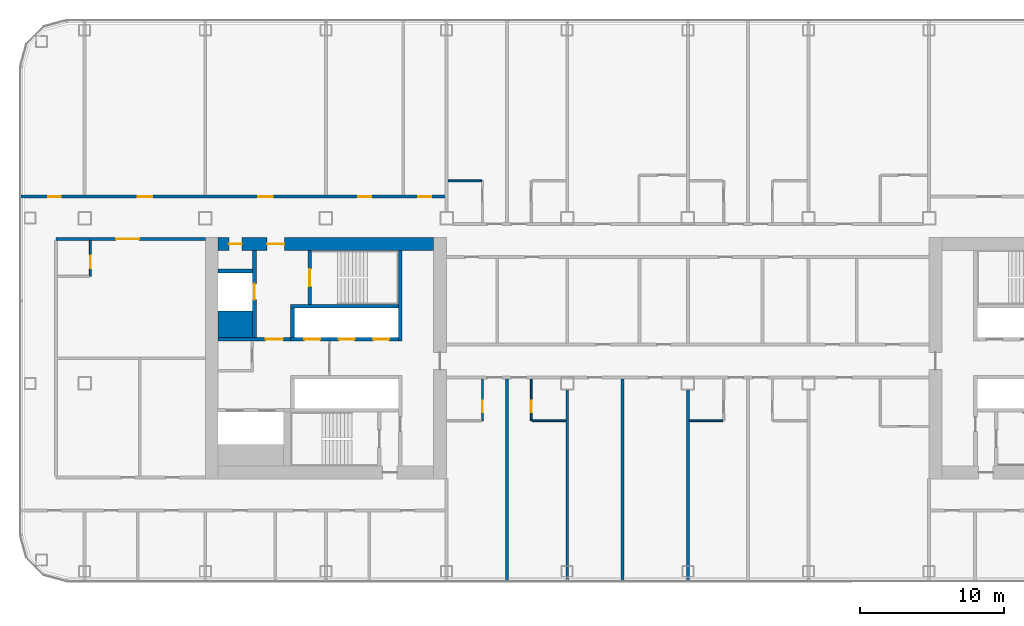
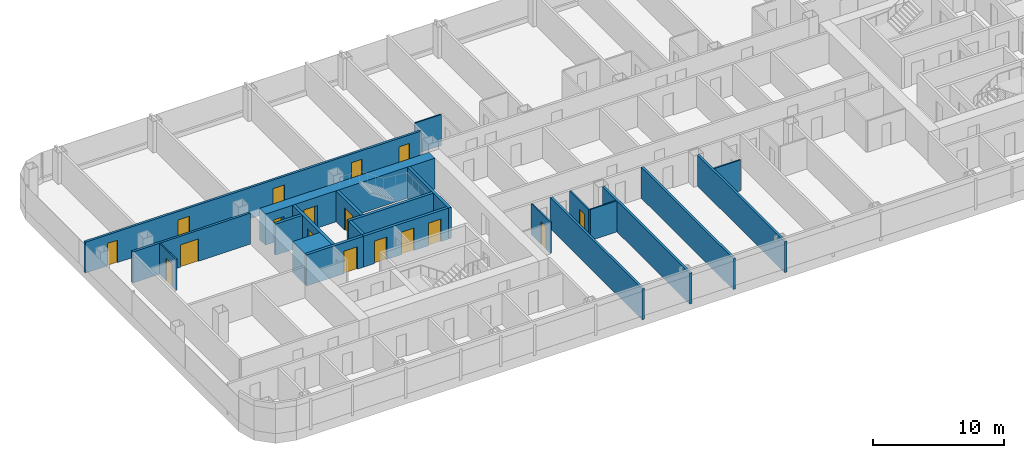
# One storey, part 16 of 29: 22 walls, 17 doors, 17 openings.
"""IFC4 building model written with IfcOpenShell, lengths in metres."""

from ifc_helpers import new_model, si_unit, direction, frame, frame_2d, origin, place, context, subcontext, project, spatial, rectangle, extrude, material, layer, layer_set, type_object, element, fill, save


model = new_model("IFC4")

# Units and contexts
model_context = context("Model", 3, precision=1e-05, world=origin(), true_north=direction((0.0, 1.0)))
body_context = subcontext(model_context, "Body", "Model", "MODEL_VIEW")
ifc_project = project(units=[si_unit("LENGTHUNIT", "METRE"), si_unit("AREAUNIT", "SQUARE_METRE"), si_unit("VOLUMEUNIT", "CUBIC_METRE"), si_unit("PLANEANGLEUNIT", "RADIAN"), si_unit("MASSUNIT", "GRAM", prefix="KILO")], contexts=[model_context])

# Site, building, storey
site_placement = place(None, origin())
site = spatial("IfcSite", under=ifc_project, at=site_placement, CompositionType="ELEMENT")
building_placement = place(site_placement, origin())
building = spatial("IfcBuilding", under=site, at=building_placement, Name="Hakoniwa Tower and Hamabe Station Hall", CompositionType="ELEMENT")
storey_placement = place(building_placement, frame((0.0, 0.0, 117.0)))
storey = spatial("IfcBuildingStorey", under=building, at=storey_placement, Name="L33", CompositionType="ELEMENT", Elevation=117.0)

# Walls
ifc_material_1 = material(Name="Gypsum board partition", Category="gypsum")
ifc_layer_1 = layer(ifc_material_1, 0.125)
ifc_layer_set_1 = layer_set([ifc_layer_1], Name="Bathroom Partition 125")
wall_type_1 = type_object("IfcWallType", Name="Bathroom Partition 125", PredefinedType="PARTITIONING", material=ifc_layer_set_1)
for number, where, z_axis, x_axis, name in (
    (1, (-10.83740234375, -4.35009765625, 0.0), (0.0, 0.0, 1.0), (1.0, 0.0, 0.0), "GW-L33-008"),
    (2, (0.10009765625, -4.35009765625, 0.0), (0.0, 0.0, 1.0), (1.0, 0.0, 0.0), "GW-L33-009"),
    (3, (-16.699951171875, 12.35009765625, 0.0), (0.0, 0.0, 1.0), (1.0, 0.0, 0.0), "GW-L33-023"),
):
    element("IfcWall", number, at=place(storey_placement, frame(where, z_axis=z_axis, x_axis=x_axis)), inside=storey, type_object=wall_type_1, Name=name, PredefinedType="PARTITIONING", context=body_context, shape_type="SweptSolid", body=[
        extrude(rectangle(XDim=2.33740234375, YDim=0.125, at=frame_2d((1.168701171875, 0.0))), origin(), (0.0, 0.0, 1.0), 2.89990234375),
    ])

# Wall, opening, door
wall_1_placement = place(storey_placement, frame((-14.300048828125, -4.35009765625, 0.0), z_axis=(0.0, 0.0, 1.0), x_axis=(0.0, 1.0, 0.0)))
wall_1 = element("IfcWall", 4, at=wall_1_placement, inside=storey, type_object=wall_type_1, Name="GW-L33-044", PredefinedType="PARTITIONING", context=body_context, shape_type="SweptSolid", body=[
    extrude(rectangle(XDim=2.900146484375, YDim=0.125, at=frame_2d((1.4501953125, 0.0))), origin(), (0.0, 0.0, 1.0), 2.89990234375),
])
opening_1_placement = place(wall_1_placement, frame((0.60009765625, 0.0, 0.0)))
opening_1 = element("IfcOpeningElement", 5, at=opening_1_placement, cuts=wall_1, Name="Opening GD-G2D2-55", PredefinedType="OPENING", context=body_context, shape_type="SweptSolid", body=[
    extrude(rectangle(XDim=0.800048828125, YDim=2.10009765625, at=frame_2d((0.39990234375, 1.050048828125))), frame((0.0, 0.072509765625, 0.0), z_axis=(0.0, -1.0, 0.0), x_axis=(1.0, 0.0, 0.0)), (0.0, 0.0, 1.0), 0.14501953125),
])
ifc_material_2 = material(Name="Timber door leaf", Category="wood")
door_type_1 = type_object("IfcDoorType", Name="Bathroom Door 800", OperationType="SINGLE_SWING_LEFT", PredefinedType="DOOR", material=ifc_material_2)
door_1_placement = place(opening_1_placement, origin())
door_1 = element("IfcDoor", 6, at=door_1_placement, inside=storey, type_object=door_type_1, Name="Door GD-G2D2-55", OperationType="SINGLE_SWING_RIGHT", OverallHeight=2.10009765625, OverallWidth=0.800048828125, PredefinedType="DOOR", context=body_context, shape_type="SweptSolid", body=[
    extrude(rectangle(XDim=0.800048828125, YDim=2.10009765625, at=frame_2d((0.39990234375, 1.050048828125))), frame((0.0, 0.02490234375, 0.0), z_axis=(0.0, -1.0, 0.0), x_axis=(1.0, 0.0, 0.0)), (0.0, 0.0, 1.0), 0.050048828125),
])
fill(opening_1, door_1)

wall_2_placement = place(storey_placement, frame((-10.89990234375, -4.35009765625, 0.0), z_axis=(0.0, 0.0, 1.0), x_axis=(0.0, 1.0, 0.0)))
wall_2 = element("IfcWall", 7, at=wall_2_placement, inside=storey, type_object=wall_type_1, Name="GW-L33-049", PredefinedType="PARTITIONING", context=body_context, shape_type="SweptSolid", body=[
    extrude(rectangle(XDim=2.900146484375, YDim=0.125, at=frame_2d((1.4501953125, 0.0))), origin(), (0.0, 0.0, 1.0), 2.89990234375),
])
opening_2_placement = place(wall_2_placement, frame((0.60009765625, 0.0, 0.0)))
opening_2 = element("IfcOpeningElement", 8, at=opening_2_placement, cuts=wall_2, Name="Opening GD-G2D2-57", PredefinedType="OPENING", context=body_context, shape_type="SweptSolid", body=[
    extrude(rectangle(XDim=0.800048828125, YDim=2.10009765625, at=frame_2d((0.39990234375, 1.050048828125))), frame((0.0, 0.072509765625, 0.0), z_axis=(0.0, -1.0, 0.0), x_axis=(1.0, 0.0, 0.0)), (0.0, 0.0, 1.0), 0.14501953125),
])
door_2_placement = place(opening_2_placement, origin())
door_2 = element("IfcDoor", 9, at=door_2_placement, inside=storey, type_object=door_type_1, Name="Door GD-G2D2-57", OperationType="SINGLE_SWING_LEFT", OverallHeight=2.10009765625, OverallWidth=0.800048828125, PredefinedType="DOOR", context=body_context, shape_type="SweptSolid", body=[
    extrude(rectangle(XDim=0.800048828125, YDim=2.10009765625, at=frame_2d((0.39990234375, 1.050048828125))), frame((0.0, 0.02490234375, 0.0), z_axis=(0.0, -1.0, 0.0), x_axis=(1.0, 0.0, 0.0)), (0.0, 0.0, 1.0), 0.050048828125),
])
fill(opening_2, door_2)

# Wall, openings, doors
ifc_material_3 = material(Name="Concrete C72", Category="concrete")
ifc_layer_2 = layer(ifc_material_3, 0.89990234375)
ifc_layer_set_2 = layer_set([ifc_layer_2], Name="CORE WALL 900 C72")
wall_type_2 = type_object("IfcWallType", Name="CORE WALL 900 C72", PredefinedType="SHEAR", material=ifc_layer_set_2)
wall_3_placement = place(storey_placement, frame((-32.699951171875, 7.949951171875, 0.0), z_axis=(0.0, 0.0, 1.0), x_axis=(1.0, 0.0, 0.0)))
wall_3 = element("IfcWall", 10, at=wall_3_placement, inside=storey, type_object=wall_type_2, Name="Core wall NORTH west", PredefinedType="SHEAR", context=body_context, shape_type="SweptSolid", body=[
    extrude(rectangle(XDim=15.0, YDim=0.89990234375, at=frame_2d((7.5, 0.0))), origin(), (0.0, 0.0, 1.0), 2.89990234375),
])
opening_3_placement = place(wall_3_placement, frame((3.39990234375, 0.0, 0.0)))
opening_3 = element("IfcOpeningElement", 11, at=opening_3_placement, cuts=wall_3, Name="Opening CD-W-FN1-12", PredefinedType="OPENING", context=body_context, shape_type="SweptSolid", body=[
    extrude(rectangle(XDim=1.199951171875, YDim=2.10009765625, at=frame_2d((0.60009765625, 1.050048828125))), frame((0.0, 0.4599609375, 0.0), z_axis=(0.0, -1.0, 0.0), x_axis=(1.0, 0.0, 0.0)), (0.0, 0.0, 1.0), 0.919921875),
])
opening_4_placement = place(wall_3_placement, frame((0.75, 0.0, 0.0)))
opening_4 = element("IfcOpeningElement", 12, at=opening_4_placement, cuts=wall_3, Name="Opening CD-W-FN2-9", PredefinedType="OPENING", context=body_context, shape_type="SweptSolid", body=[
    extrude(rectangle(XDim=0.89990234375, YDim=2.10009765625, at=frame_2d((0.449951171875, 1.050048828125))), frame((0.0, 0.4599609375, 0.0), z_axis=(0.0, -1.0, 0.0), x_axis=(1.0, 0.0, 0.0)), (0.0, 0.0, 1.0), 0.919921875),
])
ifc_material_4 = material(Name="Steel fire door", Category="steel")
door_type_2 = type_object("IfcDoorType", Name="CORE DOOR 1200 FD60", OperationType="DOUBLE_DOOR_SINGLE_SWING", PredefinedType="DOOR", material=ifc_material_4)
door_3_placement = place(opening_3_placement, origin())
door_3 = element("IfcDoor", 13, at=door_3_placement, inside=storey, type_object=door_type_2, Name="Stair vestibule door to the fire-fighting lobby", OperationType="DOUBLE_DOOR_SINGLE_SWING", OverallHeight=2.10009765625, OverallWidth=1.199951171875, PredefinedType="DOOR", context=body_context, shape_type="SweptSolid", body=[
    extrude(rectangle(XDim=1.199951171875, YDim=2.10009765625, at=frame_2d((0.60009765625, 1.050048828125))), frame((0.0, 0.02490234375, 0.0), z_axis=(0.0, -1.0, 0.0), x_axis=(1.0, 0.0, 0.0)), (0.0, 0.0, 1.0), 0.050048828125),
])
fill(opening_3, door_3)
ifc_material_5 = material(Name="Steel fire door", Category="steel")
door_type_3 = type_object("IfcDoorType", Name="CORE DOOR 900 FD30", OperationType="NOTDEFINED", PredefinedType="DOOR", material=ifc_material_5)
door_4_placement = place(opening_4_placement, origin())
door_4 = element("IfcDoor", 14, at=door_4_placement, inside=storey, type_object=door_type_3, Name="Riser access door", OperationType="SINGLE_SWING_LEFT", OverallHeight=2.10009765625, OverallWidth=0.89990234375, PredefinedType="DOOR", context=body_context, shape_type="SweptSolid", body=[
    extrude(rectangle(XDim=0.89990234375, YDim=2.10009765625, at=frame_2d((0.449951171875, 1.050048828125))), frame((0.0, 0.02490234375, 0.0), z_axis=(0.0, -1.0, 0.0), x_axis=(1.0, 0.0, 0.0)), (0.0, 0.0, 1.0), 0.050048828125),
])
fill(opening_4, door_4)

# Walls
ifc_material_6 = material(Name="Concrete C72", Category="concrete")
ifc_layer_3 = layer(ifc_material_6, 1.85009765625)
ifc_layer_set_3 = layer_set([ifc_layer_3], Name="CORE WEB WALL 1850 C72")
wall_type_3 = type_object("IfcWallType", Name="CORE WEB WALL 1850 C72", PredefinedType="SHEAR", material=ifc_layer_set_3)
wall_4_placement = place(storey_placement, frame((-32.699951171875, 2.375, 0.0), z_axis=(0.0, 0.0, 1.0), x_axis=(1.0, 0.0, 0.0)))
element("IfcWall", 15, at=wall_4_placement, inside=storey, type_object=wall_type_3, Name="Core wall CA west", PredefinedType="SHEAR", context=body_context, shape_type="SweptSolid", body=[
    extrude(rectangle(XDim=2.39990234375, YDim=1.85009765625, at=frame_2d((1.199951171875, 0.0))), origin(), (0.0, 0.0, 1.0), 2.89990234375),
])
ifc_material_7 = material(Name="Concrete C72", Category="concrete")
ifc_layer_4 = layer(ifc_material_7, 0.25)
ifc_layer_set_4 = layer_set([ifc_layer_4], Name="CORE WEB WALL 250 C72")
wall_type_4 = type_object("IfcWallType", Name="CORE WEB WALL 250 C72", PredefinedType="SHEAR", material=ifc_layer_set_4)
wall_5_placement = place(storey_placement, frame((-20.02490234375, 1.199951171875, 0.0), z_axis=(0.0, 0.0, 1.0), x_axis=(0.0, 1.0, 0.0)))
element("IfcWall", 16, at=wall_5_placement, inside=storey, type_object=wall_type_4, Name="Core wall W1N west", PredefinedType="SHEAR", context=body_context, shape_type="SweptSolid", body=[
    extrude(rectangle(XDim=6.300048828125, YDim=0.25, at=frame_2d((3.14990234375, 0.0))), origin(), (0.0, 0.0, 1.0), 2.89990234375),
])

# Wall, openings, doors
wall_6_placement = place(storey_placement, frame((-27.64990234375, 1.324951171875, 0.0), z_axis=(0.0, 0.0, 1.0), x_axis=(1.0, 0.0, 0.0)))
wall_6 = element("IfcWall", 17, at=wall_6_placement, inside=storey, type_object=wall_type_4, Name="Core wall NF west", PredefinedType="SHEAR", context=body_context, shape_type="SweptSolid", body=[
    extrude(rectangle(XDim=7.5, YDim=0.25, at=frame_2d((3.75, 0.0))), origin(), (0.0, 0.0, 1.0), 2.89990234375),
])
opening_5_placement = place(wall_6_placement, frame((5.75, 0.0, 0.0)))
opening_5 = element("IfcOpeningElement", 18, at=opening_5_placement, cuts=wall_6, Name="Opening LD-LR1", PredefinedType="OPENING", context=body_context, shape_type="SweptSolid", body=[
    extrude(rectangle(XDim=1.10009765625, YDim=2.10009765625, at=frame_2d((0.550048828125, 1.050048828125))), frame((0.0, 0.135009765625, 0.0), z_axis=(0.0, -1.0, 0.0), x_axis=(1.0, 0.0, 0.0)), (0.0, 0.0, 1.0), 0.27001953125),
])
opening_6_placement = place(wall_6_placement, frame((3.35009765625, 0.0, 0.0)))
opening_6 = element("IfcOpeningElement", 19, at=opening_6_placement, cuts=wall_6, Name="Opening LD-LR2", PredefinedType="OPENING", context=body_context, shape_type="SweptSolid", body=[
    extrude(rectangle(XDim=1.10009765625, YDim=2.10009765625, at=frame_2d((0.550048828125, 1.050048828125))), frame((0.0, 0.135009765625, 0.0), z_axis=(0.0, -1.0, 0.0), x_axis=(1.0, 0.0, 0.0)), (0.0, 0.0, 1.0), 0.27001953125),
])
opening_7_placement = place(wall_6_placement, frame((0.949951171875, 0.0, 0.0)))
opening_7 = element("IfcOpeningElement", 20, at=opening_7_placement, cuts=wall_6, Name="Opening LD-LR3", PredefinedType="OPENING", context=body_context, shape_type="SweptSolid", body=[
    extrude(rectangle(XDim=1.10009765625, YDim=2.10009765625, at=frame_2d((0.550048828125, 1.050048828125))), frame((0.0, 0.135009765625, 0.0), z_axis=(0.0, -1.0, 0.0), x_axis=(1.0, 0.0, 0.0)), (0.0, 0.0, 1.0), 0.27001953125),
])
ifc_material_8 = material(Name="Stainless steel SUS304", Category="steel")
door_type_4 = type_object("IfcDoorType", Name="LIFT LANDING DOOR 1100 FD60", OperationType="DOUBLE_DOOR_SLIDING", PredefinedType="DOOR", material=ifc_material_8)
door_5_placement = place(opening_5_placement, origin())
door_5 = element("IfcDoor", 21, at=door_5_placement, inside=storey, type_object=door_type_4, Name="Lift landing door LR1 L33", OperationType="DOUBLE_DOOR_SLIDING", OverallHeight=2.10009765625, OverallWidth=1.10009765625, PredefinedType="DOOR", context=body_context, shape_type="SweptSolid", body=[
    extrude(rectangle(XDim=1.10009765625, YDim=2.10009765625, at=frame_2d((0.550048828125, 1.050048828125))), frame((0.0, 0.02490234375, 0.0), z_axis=(0.0, -1.0, 0.0), x_axis=(1.0, 0.0, 0.0)), (0.0, 0.0, 1.0), 0.050048828125),
])
fill(opening_5, door_5)
door_6_placement = place(opening_6_placement, origin())
door_6 = element("IfcDoor", 22, at=door_6_placement, inside=storey, type_object=door_type_4, Name="Lift landing door LR2 L33", OperationType="DOUBLE_DOOR_SLIDING", OverallHeight=2.10009765625, OverallWidth=1.10009765625, PredefinedType="DOOR", context=body_context, shape_type="SweptSolid", body=[
    extrude(rectangle(XDim=1.10009765625, YDim=2.10009765625, at=frame_2d((0.550048828125, 1.050048828125))), frame((0.0, 0.02490234375, 0.0), z_axis=(0.0, -1.0, 0.0), x_axis=(1.0, 0.0, 0.0)), (0.0, 0.0, 1.0), 0.050048828125),
])
fill(opening_6, door_6)
door_7_placement = place(opening_7_placement, origin())
door_7 = element("IfcDoor", 23, at=door_7_placement, inside=storey, type_object=door_type_4, Name="Lift landing door LR3 L33", OperationType="DOUBLE_DOOR_SLIDING", OverallHeight=2.10009765625, OverallWidth=1.10009765625, PredefinedType="DOOR", context=body_context, shape_type="SweptSolid", body=[
    extrude(rectangle(XDim=1.10009765625, YDim=2.10009765625, at=frame_2d((0.550048828125, 1.050048828125))), frame((0.0, 0.02490234375, 0.0), z_axis=(0.0, -1.0, 0.0), x_axis=(1.0, 0.0, 0.0)), (0.0, 0.0, 1.0), 0.050048828125),
])
fill(opening_7, door_7)

# Walls
wall_7_placement = place(storey_placement, frame((-27.52490234375, 1.449951171875, 0.0), z_axis=(0.0, 0.0, 1.0), x_axis=(0.0, 1.0, 0.0)))
element("IfcWall", 24, at=wall_7_placement, inside=storey, type_object=wall_type_4, Name="Core wall NE west", PredefinedType="SHEAR", context=body_context, shape_type="SweptSolid", body=[
    extrude(rectangle(XDim=2.050048828125, YDim=0.25, at=frame_2d((1.02490234375, 0.0))), origin(), (0.0, 0.0, 1.0), 2.89990234375),
])
wall_8_placement = place(storey_placement, frame((-27.64990234375, 3.625, 0.0), z_axis=(0.0, 0.0, 1.0), x_axis=(1.0, 0.0, 0.0)))
element("IfcWall", 25, at=wall_8_placement, inside=storey, type_object=wall_type_4, Name="Core wall NR west", PredefinedType="SHEAR", context=body_context, shape_type="SweptSolid", body=[
    extrude(rectangle(XDim=7.5, YDim=0.25, at=frame_2d((3.75, 0.0))), origin(), (0.0, 0.0, 1.0), 2.89990234375),
])

# Wall, opening, door
wall_9_placement = place(storey_placement, frame((-26.324951171875, 3.75, 0.0), z_axis=(0.0, 0.0, 1.0), x_axis=(0.0, 1.0, 0.0)))
wall_9 = element("IfcWall", 26, at=wall_9_placement, inside=storey, type_object=wall_type_4, Name="Core wall NSE west", PredefinedType="SHEAR", context=body_context, shape_type="SweptSolid", body=[
    extrude(rectangle(XDim=3.75, YDim=0.25, at=frame_2d((1.875, 0.0))), origin(), (0.0, 0.0, 1.0), 2.89990234375),
])
opening_8_placement = place(wall_9_placement, frame((1.25, 0.0, 0.0)))
opening_8 = element("IfcOpeningElement", 27, at=opening_8_placement, cuts=wall_9, Name="Opening CD-W-SN-12", PredefinedType="OPENING", context=body_context, shape_type="SweptSolid", body=[
    extrude(rectangle(XDim=1.199951171875, YDim=2.10009765625, at=frame_2d((0.60009765625, 1.050048828125))), frame((0.0, 0.135009765625, 0.0), z_axis=(0.0, -1.0, 0.0), x_axis=(1.0, 0.0, 0.0)), (0.0, 0.0, 1.0), 0.27001953125),
])
door_8_placement = place(opening_8_placement, origin())
door_8 = element("IfcDoor", 28, at=door_8_placement, inside=storey, type_object=door_type_2, Name="Escape stair door", OperationType="DOUBLE_DOOR_SINGLE_SWING", OverallHeight=2.10009765625, OverallWidth=1.199951171875, PredefinedType="DOOR", context=body_context, shape_type="SweptSolid", body=[
    extrude(rectangle(XDim=1.199951171875, YDim=2.10009765625, at=frame_2d((0.60009765625, 1.050048828125))), frame((0.0, 0.02490234375, 0.0), z_axis=(0.0, -1.0, 0.0), x_axis=(1.0, 0.0, 0.0)), (0.0, 0.0, 1.0), 0.050048828125),
])
fill(opening_8, door_8)

wall_10_placement = place(storey_placement, frame((-32.699951171875, 1.324951171875, 0.0), z_axis=(0.0, 0.0, 1.0), x_axis=(1.0, 0.0, 0.0)))
wall_10 = element("IfcWall", 29, at=wall_10_placement, inside=storey, type_object=wall_type_4, Name="Core wall ELN west", PredefinedType="SHEAR", context=body_context, shape_type="SweptSolid", body=[
    extrude(rectangle(XDim=5.050048828125, YDim=0.25, at=frame_2d((2.52490234375, 0.0))), origin(), (0.0, 0.0, 1.0), 2.89990234375),
])
opening_9_placement = place(wall_10_placement, frame((3.300048828125, 0.0, 0.0)))
opening_9 = element("IfcOpeningElement", 30, at=opening_9_placement, cuts=wall_10, Name="Opening CD-W-FL-12", PredefinedType="OPENING", context=body_context, shape_type="SweptSolid", body=[
    extrude(rectangle(XDim=1.199951171875, YDim=2.10009765625, at=frame_2d((0.60009765625, 1.050048828125))), frame((0.0, 0.135009765625, 0.0), z_axis=(0.0, -1.0, 0.0), x_axis=(1.0, 0.0, 0.0)), (0.0, 0.0, 1.0), 0.27001953125),
])
door_9_placement = place(opening_9_placement, origin())
door_9 = element("IfcDoor", 31, at=door_9_placement, inside=storey, type_object=door_type_2, Name="Stair vestibule door to the fire-fighting lobby", OperationType="DOUBLE_DOOR_SINGLE_SWING", OverallHeight=2.10009765625, OverallWidth=1.199951171875, PredefinedType="DOOR", context=body_context, shape_type="SweptSolid", body=[
    extrude(rectangle(XDim=1.199951171875, YDim=2.10009765625, at=frame_2d((0.60009765625, 1.050048828125))), frame((0.0, 0.02490234375, 0.0), z_axis=(0.0, -1.0, 0.0), x_axis=(1.0, 0.0, 0.0)), (0.0, 0.0, 1.0), 0.050048828125),
])
fill(opening_9, door_9)

wall_11_placement = place(storey_placement, frame((-30.175048828125, 1.449951171875, 0.0), z_axis=(0.0, 0.0, 1.0), x_axis=(0.0, 1.0, 0.0)))
wall_11 = element("IfcWall", 32, at=wall_11_placement, inside=storey, type_object=wall_type_4, Name="Core wall FFF west", PredefinedType="SHEAR", context=body_context, shape_type="SweptSolid", body=[
    extrude(rectangle(XDim=6.050048828125, YDim=0.25, at=frame_2d((3.02490234375, 0.0))), origin(), (0.0, 0.0, 1.0), 2.89990234375),
])
opening_10_placement = place(wall_11_placement, frame((2.625, 0.0, 0.0)))
opening_10 = element("IfcOpeningElement", 33, at=opening_10_placement, cuts=wall_11, Name="Opening LD-FF1", PredefinedType="OPENING", context=body_context, shape_type="SweptSolid", body=[
    extrude(rectangle(XDim=1.10009765625, YDim=2.10009765625, at=frame_2d((0.550048828125, 1.050048828125))), frame((0.0, 0.135009765625, 0.0), z_axis=(0.0, -1.0, 0.0), x_axis=(1.0, 0.0, 0.0)), (0.0, 0.0, 1.0), 0.27001953125),
])
door_10_placement = place(opening_10_placement, origin())
door_10 = element("IfcDoor", 34, at=door_10_placement, inside=storey, type_object=door_type_4, Name="Lift landing door FF1 L33", OperationType="DOUBLE_DOOR_SLIDING", OverallHeight=2.10009765625, OverallWidth=1.10009765625, PredefinedType="DOOR", context=body_context, shape_type="SweptSolid", body=[
    extrude(rectangle(XDim=1.10009765625, YDim=2.10009765625, at=frame_2d((0.550048828125, 1.050048828125))), frame((0.0, 0.02490234375, 0.0), z_axis=(0.0, -1.0, 0.0), x_axis=(1.0, 0.0, 0.0)), (0.0, 0.0, 1.0), 0.050048828125),
])
fill(opening_10, door_10)

# Wall
wall_12_placement = place(storey_placement, frame((-32.699951171875, 6.074951171875, 0.0), z_axis=(0.0, 0.0, 1.0), x_axis=(1.0, 0.0, 0.0)))
element("IfcWall", 35, at=wall_12_placement, inside=storey, type_object=wall_type_4, Name="Core wall C2 west", PredefinedType="SHEAR", context=body_context, shape_type="SweptSolid", body=[
    extrude(rectangle(XDim=2.39990234375, YDim=0.25, at=frame_2d((1.199951171875, 0.0))), origin(), (0.0, 0.0, 1.0), 2.89990234375),
])

# Wall, opening, door
ifc_material_9 = material(Name="Fire-rated gypsum board partition", Category="gypsum")
ifc_layer_5 = layer(ifc_material_9, 0.199951171875)
ifc_layer_set_5 = layer_set([ifc_layer_5], Name="Corridor Wall 200")
wall_type_5 = type_object("IfcWallType", Name="Corridor Wall 200", PredefinedType="PARTITIONING", material=ifc_layer_set_5)
wall_13_placement = place(storey_placement, frame((-44.0, 8.300048828125, 0.0), z_axis=(0.0, 0.0, 1.0), x_axis=(1.0, 0.0, 0.0)))
wall_13 = element("IfcWall", 36, at=wall_13_placement, inside=storey, type_object=wall_type_5, Name="GW-L33-018", PredefinedType="PARTITIONING", context=body_context, shape_type="SweptSolid", body=[
    extrude(rectangle(XDim=10.39990234375, YDim=0.199951171875, at=frame_2d((5.199951171875, 0.0))), origin(), (0.0, 0.0, 1.0), 2.89990234375),
])
opening_11_placement = place(wall_13_placement, frame((4.199951171875, 0.0, 0.0)))
opening_11 = element("IfcOpeningElement", 37, at=opening_11_placement, cuts=wall_13, Name="Opening GD-G2D2-35", PredefinedType="OPENING", context=body_context, shape_type="SweptSolid", body=[
    extrude(rectangle(XDim=1.60009765625, YDim=2.10009765625, at=frame_2d((0.800048828125, 1.050048828125))), frame((0.0, 0.10986328125, 0.0), z_axis=(0.0, -1.0, 0.0), x_axis=(1.0, 0.0, 0.0)), (0.0, 0.0, 1.0), 0.219970703125),
])
ifc_material_10 = material(Name="Timber door leaf", Category="wood")
door_type_5 = type_object("IfcDoorType", Name="Double Door 1600", OperationType="DOUBLE_DOOR_SINGLE_SWING", PredefinedType="DOOR", material=ifc_material_10)
door_11_placement = place(opening_11_placement, origin())
door_11 = element("IfcDoor", 38, at=door_11_placement, inside=storey, type_object=door_type_5, Name="Door GD-G2D2-35", OperationType="DOUBLE_DOOR_SINGLE_SWING", OverallHeight=2.10009765625, OverallWidth=1.60009765625, PredefinedType="DOOR", context=body_context, shape_type="SweptSolid", body=[
    extrude(rectangle(XDim=1.60009765625, YDim=2.10009765625, at=frame_2d((0.800048828125, 1.050048828125))), frame((0.0, 0.02490234375, 0.0), z_axis=(0.0, -1.0, 0.0), x_axis=(1.0, 0.0, 0.0)), (0.0, 0.0, 1.0), 0.050048828125),
])
fill(opening_11, door_11)

# Wall, openings, doors
wall_14_placement = place(storey_placement, frame((-46.5, 11.25, 0.0), z_axis=(0.0, 0.0, 1.0), x_axis=(1.0, 0.0, 0.0)))
wall_14 = element("IfcWall", 39, at=wall_14_placement, inside=storey, type_object=wall_type_5, Name="GW-L33-021", PredefinedType="PARTITIONING", context=body_context, shape_type="SweptSolid", body=[
    extrude(rectangle(XDim=29.699951171875, YDim=0.199951171875, at=frame_2d((14.85009765625, 0.0))), origin(), (0.0, 0.0, 1.0), 2.89990234375),
])
opening_12_placement = place(wall_14_placement, frame((1.949951171875, 0.0, 0.0)))
opening_12 = element("IfcOpeningElement", 40, at=opening_12_placement, cuts=wall_14, Name="Opening GD-G2D2-43", PredefinedType="OPENING", context=body_context, shape_type="SweptSolid", body=[
    extrude(rectangle(XDim=0.89990234375, YDim=2.10009765625, at=frame_2d((0.449951171875, 1.050048828125))), frame((0.0, 0.10986328125, 0.0), z_axis=(0.0, -1.0, 0.0), x_axis=(1.0, 0.0, 0.0)), (0.0, 0.0, 1.0), 0.219970703125),
])
opening_13_placement = place(wall_14_placement, frame((8.199951171875, 0.0, 0.0)))
opening_13 = element("IfcOpeningElement", 41, at=opening_13_placement, cuts=wall_14, Name="Opening GD-G2D2-44", PredefinedType="OPENING", context=body_context, shape_type="SweptSolid", body=[
    extrude(rectangle(XDim=1.0, YDim=2.10009765625, at=frame_2d((0.5, 1.050048828125))), frame((0.0, 0.10986328125, 0.0), z_axis=(0.0, -1.0, 0.0), x_axis=(1.0, 0.0, 0.0)), (0.0, 0.0, 1.0), 0.219970703125),
])
opening_14_placement = place(wall_14_placement, frame((16.60009765625, 0.0, 0.0)))
opening_14 = element("IfcOpeningElement", 42, at=opening_14_placement, cuts=wall_14, Name="Opening GD-G2D2-45", PredefinedType="OPENING", context=body_context, shape_type="SweptSolid", body=[
    extrude(rectangle(XDim=1.0, YDim=2.10009765625, at=frame_2d((0.5, 1.050048828125))), frame((0.0, 0.10986328125, 0.0), z_axis=(0.0, -1.0, 0.0), x_axis=(1.0, 0.0, 0.0)), (0.0, 0.0, 1.0), 0.219970703125),
])
opening_15_placement = place(wall_14_placement, frame((23.5400390625, 0.0, 0.0)))
opening_15 = element("IfcOpeningElement", 43, at=opening_15_placement, cuts=wall_14, Name="Opening GD-G2D2-46", PredefinedType="OPENING", context=body_context, shape_type="SweptSolid", body=[
    extrude(rectangle(XDim=0.89990234375, YDim=2.10009765625, at=frame_2d((0.449951171875, 1.050048828125))), frame((0.0, 0.10986328125, 0.0), z_axis=(0.0, -1.0, 0.0), x_axis=(1.0, 0.0, 0.0)), (0.0, 0.0, 1.0), 0.219970703125),
])
opening_16_placement = place(wall_14_placement, frame((27.739990234375, 0.0, 0.0)))
opening_16 = element("IfcOpeningElement", 44, at=opening_16_placement, cuts=wall_14, Name="Opening GD-G2D2-47", PredefinedType="OPENING", context=body_context, shape_type="SweptSolid", body=[
    extrude(rectangle(XDim=0.89990234375, YDim=2.10009765625, at=frame_2d((0.449951171875, 1.050048828125))), frame((0.0, 0.10986328125, 0.0), z_axis=(0.0, -1.0, 0.0), x_axis=(1.0, 0.0, 0.0)), (0.0, 0.0, 1.0), 0.219970703125),
])
ifc_material_11 = material(Name="Timber door leaf", Category="wood")
door_type_6 = type_object("IfcDoorType", Name="Guest Entrance Door 1000", OperationType="SINGLE_SWING_LEFT", PredefinedType="DOOR", material=ifc_material_11)
door_12_placement = place(opening_13_placement, origin())
door_12 = element("IfcDoor", 45, at=door_12_placement, inside=storey, type_object=door_type_6, Name="Door GD-G2D2-44", OperationType="SINGLE_SWING_LEFT", OverallHeight=2.10009765625, OverallWidth=1.0, PredefinedType="DOOR", context=body_context, shape_type="SweptSolid", body=[
    extrude(rectangle(XDim=1.0, YDim=2.10009765625, at=frame_2d((0.5, 1.050048828125))), frame((0.0, 0.02490234375, 0.0), z_axis=(0.0, -1.0, 0.0), x_axis=(1.0, 0.0, 0.0)), (0.0, 0.0, 1.0), 0.050048828125),
])
fill(opening_13, door_12)
door_13_placement = place(opening_14_placement, origin())
door_13 = element("IfcDoor", 46, at=door_13_placement, inside=storey, type_object=door_type_6, Name="Door GD-G2D2-45", OperationType="SINGLE_SWING_RIGHT", OverallHeight=2.10009765625, OverallWidth=1.0, PredefinedType="DOOR", context=body_context, shape_type="SweptSolid", body=[
    extrude(rectangle(XDim=1.0, YDim=2.10009765625, at=frame_2d((0.5, 1.050048828125))), frame((0.0, 0.02490234375, 0.0), z_axis=(0.0, -1.0, 0.0), x_axis=(1.0, 0.0, 0.0)), (0.0, 0.0, 1.0), 0.050048828125),
])
fill(opening_14, door_13)
ifc_material_12 = material(Name="Timber door leaf", Category="wood")
door_type_7 = type_object("IfcDoorType", Name="Service Door 900", OperationType="SINGLE_SWING_LEFT", PredefinedType="DOOR", material=ifc_material_12)
door_14_placement = place(opening_12_placement, origin())
door_14 = element("IfcDoor", 47, at=door_14_placement, inside=storey, type_object=door_type_7, Name="Door GD-G2D2-43", OperationType="SINGLE_SWING_LEFT", OverallHeight=2.10009765625, OverallWidth=0.89990234375, PredefinedType="DOOR", context=body_context, shape_type="SweptSolid", body=[
    extrude(rectangle(XDim=0.89990234375, YDim=2.10009765625, at=frame_2d((0.449951171875, 1.050048828125))), frame((0.0, 0.02490234375, 0.0), z_axis=(0.0, -1.0, 0.0), x_axis=(1.0, 0.0, 0.0)), (0.0, 0.0, 1.0), 0.050048828125),
])
fill(opening_12, door_14)
door_15_placement = place(opening_15_placement, origin())
door_15 = element("IfcDoor", 48, at=door_15_placement, inside=storey, type_object=door_type_7, Name="Door GD-G2D2-46", OperationType="SINGLE_SWING_LEFT", OverallHeight=2.10009765625, OverallWidth=0.89990234375, PredefinedType="DOOR", context=body_context, shape_type="SweptSolid", body=[
    extrude(rectangle(XDim=0.89990234375, YDim=2.10009765625, at=frame_2d((0.449951171875, 1.050048828125))), frame((0.0, 0.02490234375, 0.0), z_axis=(0.0, -1.0, 0.0), x_axis=(1.0, 0.0, 0.0)), (0.0, 0.0, 1.0), 0.050048828125),
])
fill(opening_15, door_15)
door_16_placement = place(opening_16_placement, origin())
door_16 = element("IfcDoor", 49, at=door_16_placement, inside=storey, type_object=door_type_7, Name="Door GD-G2D2-47", OperationType="SINGLE_SWING_RIGHT", OverallHeight=2.10009765625, OverallWidth=0.89990234375, PredefinedType="DOOR", context=body_context, shape_type="SweptSolid", body=[
    extrude(rectangle(XDim=0.89990234375, YDim=2.10009765625, at=frame_2d((0.449951171875, 1.050048828125))), frame((0.0, 0.02490234375, 0.0), z_axis=(0.0, -1.0, 0.0), x_axis=(1.0, 0.0, 0.0)), (0.0, 0.0, 1.0), 0.050048828125),
])
fill(opening_16, door_16)

# Walls
ifc_material_13 = material(Name="Fire-rated gypsum board partition", Category="gypsum")
ifc_layer_6 = layer(ifc_material_13, 0.199951171875)
ifc_layer_set_6 = layer_set([ifc_layer_6], Name="Party Wall 200")
wall_type_6 = type_object("IfcWallType", Name="Party Wall 200", PredefinedType="PARTITIONING", material=ifc_layer_set_6)
wall_15_placement = place(storey_placement, frame((-12.60009765625, -15.550048828125, 0.0), z_axis=(0.0, 0.0, 1.0), x_axis=(0.0, 1.0, 0.0)))
element("IfcWall", 50, at=wall_15_placement, inside=storey, type_object=wall_type_6, Name="GW-L33-047", PredefinedType="PARTITIONING", context=body_context, shape_type="SweptSolid", body=[
    extrude(rectangle(XDim=14.10009765625, YDim=0.199951171875, at=frame_2d((7.050048828125, 0.0))), origin(), (0.0, 0.0, 1.0), 2.89990234375),
])
wall_16_placement = place(storey_placement, frame((-8.39990234375, -15.550048828125, 0.0), z_axis=(0.0, 0.0, 1.0), x_axis=(0.0, 1.0, 0.0)))
element("IfcWall", 51, at=wall_16_placement, inside=storey, type_object=wall_type_6, Name="GW-L33-051", PredefinedType="PARTITIONING", context=body_context, shape_type="SweptSolid", body=[
    extrude(rectangle(XDim=13.360107421875, YDim=0.199951171875, at=frame_2d((6.68017578125, 0.0))), origin(), (0.0, 0.0, 1.0), 2.89990234375),
])
wall_17_placement = place(storey_placement, frame((-4.5400390625, -15.550048828125, 0.0), z_axis=(0.0, 0.0, 1.0), x_axis=(0.0, 1.0, 0.0)))
element("IfcWall", 52, at=wall_17_placement, inside=storey, type_object=wall_type_6, Name="GW-L33-054", PredefinedType="PARTITIONING", context=body_context, shape_type="SweptSolid", body=[
    extrude(rectangle(XDim=14.10009765625, YDim=0.199951171875, at=frame_2d((7.050048828125, 0.0))), origin(), (0.0, 0.0, 1.0), 2.89990234375),
])
wall_18_placement = place(storey_placement, frame((0.0, -15.550048828125, 0.0), z_axis=(0.0, 0.0, 1.0), x_axis=(0.0, 1.0, 0.0)))
element("IfcWall", 53, at=wall_18_placement, inside=storey, type_object=wall_type_6, Name="GW-L33-057", PredefinedType="PARTITIONING", context=body_context, shape_type="SweptSolid", body=[
    extrude(rectangle(XDim=13.360107421875, YDim=0.199951171875, at=frame_2d((6.68017578125, 0.0))), origin(), (0.0, 0.0, 1.0), 2.89990234375),
])

# Wall, opening, door
ifc_material_14 = material(Name="Gypsum board partition", Category="gypsum")
ifc_layer_7 = layer(ifc_material_14, 0.125)
ifc_layer_set_7 = layer_set([ifc_layer_7], Name="Room Partition 125")
wall_type_7 = type_object("IfcWallType", Name="Room Partition 125", PredefinedType="PARTITIONING", material=ifc_layer_set_7)
wall_19_placement = place(storey_placement, frame((-41.60009765625, 5.699951171875, 0.0), z_axis=(0.0, 0.0, 1.0), x_axis=(0.0, 1.0, 0.0)))
wall_19 = element("IfcWall", 54, at=wall_19_placement, inside=storey, type_object=wall_type_7, Name="GW-L33-032", PredefinedType="PARTITIONING", context=body_context, shape_type="SweptSolid", body=[
    extrude(rectangle(XDim=2.5, YDim=0.125, at=frame_2d((1.25, 0.0))), origin(), (0.0, 0.0, 1.0), 2.89990234375),
])
opening_17_placement = place(wall_19_placement, frame((0.550048828125, 0.0, 0.0)))
opening_17 = element("IfcOpeningElement", 55, at=opening_17_placement, cuts=wall_19, Name="Opening GD-G2D2-54", PredefinedType="OPENING", context=body_context, shape_type="SweptSolid", body=[
    extrude(rectangle(XDim=0.89990234375, YDim=2.10009765625, at=frame_2d((0.449951171875, 1.050048828125))), frame((0.0, 0.072509765625, 0.0), z_axis=(0.0, -1.0, 0.0), x_axis=(1.0, 0.0, 0.0)), (0.0, 0.0, 1.0), 0.14501953125),
])
ifc_material_15 = material(Name="Timber door leaf", Category="wood")
door_type_8 = type_object("IfcDoorType", Name="Suite Interior Door 900", OperationType="SINGLE_SWING_LEFT", PredefinedType="DOOR", material=ifc_material_15)
door_17_placement = place(opening_17_placement, origin())
door_17 = element("IfcDoor", 56, at=door_17_placement, inside=storey, type_object=door_type_8, Name="Door GD-G2D2-54", OperationType="SINGLE_SWING_RIGHT", OverallHeight=2.10009765625, OverallWidth=0.89990234375, PredefinedType="DOOR", context=body_context, shape_type="SweptSolid", body=[
    extrude(rectangle(XDim=0.89990234375, YDim=2.10009765625, at=frame_2d((0.449951171875, 1.050048828125))), frame((0.0, 0.02490234375, 0.0), z_axis=(0.0, -1.0, 0.0), x_axis=(1.0, 0.0, 0.0)), (0.0, 0.0, 1.0), 0.050048828125),
])
fill(opening_17, door_17)

save(model, "model.ifc")
